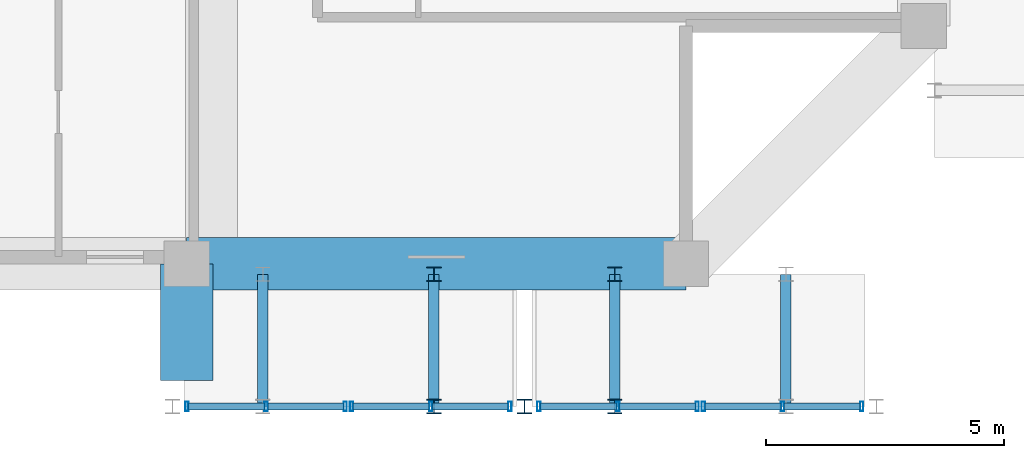
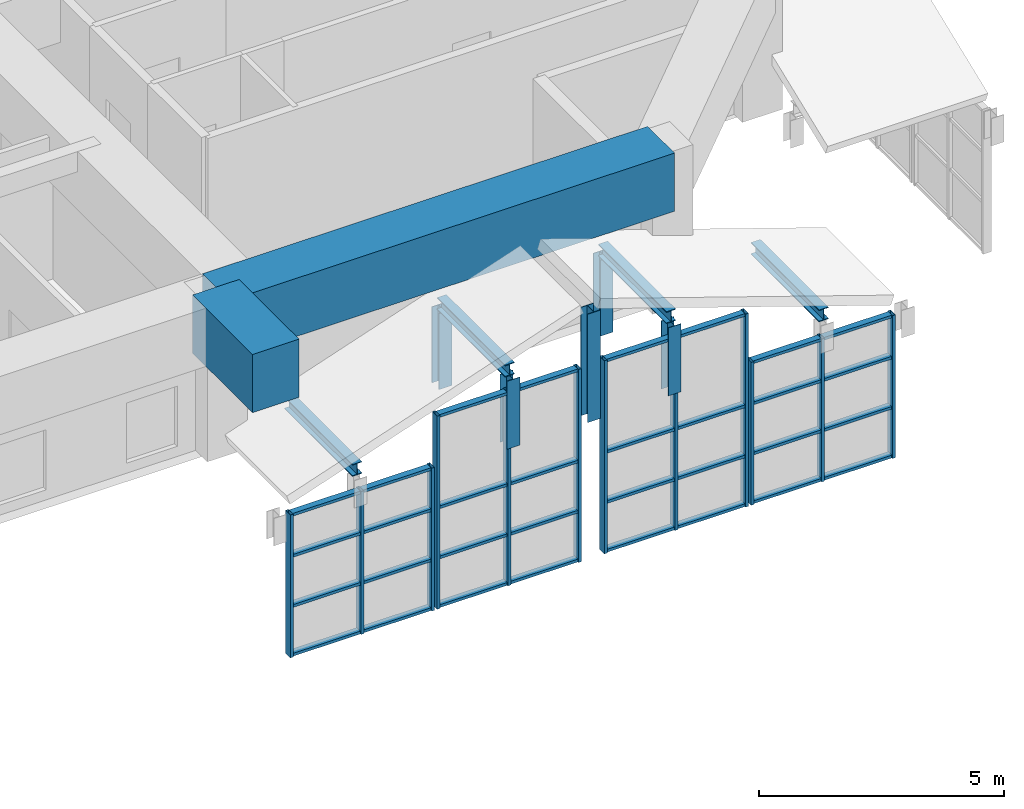
# One storey, part 12 of 45: 53 members, 2 beams, 4 elements without a shape of their own.
"""IFC4 building model written with IfcOpenShell, lengths in metres."""

from ifc_helpers import new_model, si_unit, direction, frame, origin, origin_2d, place, context, subcontext, project, spatial, rectangle, hollow_rectangle, i_section, extrude, source, transform, mapped, material, layer, layer_set, material_profile, profile_set, type_object, element, aggregate, save


model = new_model("IFC4")

# Units and contexts
model_context = context("Model", 3, precision=1e-05, world=origin(), true_north=direction((0.0, 1.0)))
body_context = subcontext(model_context, "Body", "Model", "MODEL_VIEW")
ifc_project = project(units=[si_unit("LENGTHUNIT", "METRE"), si_unit("AREAUNIT", "SQUARE_METRE"), si_unit("VOLUMEUNIT", "CUBIC_METRE"), si_unit("PLANEANGLEUNIT", "RADIAN"), si_unit("MASSUNIT", "GRAM", prefix="KILO")], contexts=[model_context])

# Site, building, storey
site_placement = place(None, origin())
site = spatial("IfcSite", under=ifc_project, at=site_placement, CompositionType="ELEMENT")
building_placement = place(site_placement, origin())
building = spatial("IfcBuilding", under=site, at=building_placement, Name="Saelheon Loggia Tower", CompositionType="ELEMENT")
storey_placement = place(building_placement, frame((0.0, 0.0, 152.199951171875)))
storey = spatial("IfcBuildingStorey", under=building, at=storey_placement, Name="L48", CompositionType="ELEMENT", Elevation=152.199951171875)

# Members
ifc_material_1 = material(Name="Steel SM355", Category="steel")
ifc_material_profile_1 = material_profile(ifc_material_1, i_section(OverallWidth=0.300048828125, OverallDepth=0.300048828125, WebThickness=0.010009765625, FlangeThickness=0.014892578125, at=origin_2d()), Name="H-300x300x10x15")
ifc_profile_set_1 = profile_set([ifc_material_profile_1], Name="Steel SM355")
member_type_1 = type_object("IfcMemberType", Name="WaveCrest_Post_H300", PredefinedType="POST", material=ifc_profile_set_1)
shared_shape_1 = source(origin(), body_context, "Body", "SweptSolid", [
    extrude(i_section(OverallWidth=0.300048828125, OverallDepth=0.300048828125, WebThickness=0.010009765625, FlangeThickness=0.014892578125, at=origin_2d()), origin(), (0.0, 0.0, 1.0), 2.699951171875),
])
member_1_placement = place(storey_placement, frame((51.60009765625, 3.0, 0.0), z_axis=(0.0, 0.0, 1.0), x_axis=(1.0, 0.0, 0.0)))
element("IfcMember", 1, at=member_1_placement, inside=storey, type_object=member_type_1, Name="Tier 1 Wave Crest Upper Post SE 01", PredefinedType="POST", context=body_context, shape_type="MappedRepresentation", body=[
    mapped(shared_shape_1, transform((0.0, 0.0, 0.0), scale=1.0)),
])
ifc_material_profile_2 = material_profile(ifc_material_1, i_section(OverallWidth=0.219970703125, OverallDepth=0.300048828125, WebThickness=0.011962890625, FlangeThickness=0.02001953125, at=origin_2d()), Name="H-300x220x12x20")
ifc_profile_set_2 = profile_set([ifc_material_profile_2], Name="Steel SM355")
member_type_2 = type_object("IfcMemberType", Name="Roof_ShoulderPurlin_RHS300", PredefinedType="PURLIN", material=ifc_profile_set_2)
shared_shape_2 = source(origin(), body_context, "Body", "SweptSolid", [
    extrude(i_section(OverallWidth=0.219970703125, OverallDepth=0.300048828125, WebThickness=0.011962890625, FlangeThickness=0.02001953125, at=origin_2d()), origin(), (0.0, 0.0, 1.0), 2.780029296875),
])
for number, where, z_axis, x_axis, name in (
    (2, (46.100830078125, 3.0, 0.628173828125), (0.0, 1.0, 0.0), (-1.0, 0.0, 0.0), "Tier 1 Wave Crest Rafter SE 01 A"),
    (3, (49.69921875, 3.0, 1.84375), (0.0, 1.0, 0.0), (-1.0, 0.0, 0.0), "Tier 1 Wave Crest Rafter SE 01 B"),
    (4, (53.500732421875, 3.0, 1.84375), (0.0, 1.0, 0.0), (-1.0, 0.0, 0.0), "Tier 1 Wave Crest Rafter SE 02 A"),
    (5, (57.09912109375, 3.0, 0.628173828125), (0.0, 1.0, 0.0), (-1.0, 0.0, 0.0), "Tier 1 Wave Crest Rafter SE 02 B"),
):
    element("IfcMember", number, at=place(storey_placement, frame(where, z_axis=z_axis, x_axis=x_axis)), inside=storey, type_object=member_type_2, Name=name, PredefinedType="PURLIN", context=body_context, shape_type="MappedRepresentation", body=[
        mapped(shared_shape_2, transform((0.0, 0.0, 0.0), scale=1.0)),
    ])
shared_shape_3 = source(origin(), body_context, "Body", "SweptSolid", [
    extrude(i_section(OverallWidth=0.300048828125, OverallDepth=0.300048828125, WebThickness=0.010009765625, FlangeThickness=0.014892578125, at=origin_2d()), origin(), (0.0, 0.0, 1.0), 1.69384765625),
])
for number, where, z_axis, x_axis, name in (
    (6, (49.69921875, 3.0, 0.0), (0.0, 0.0, 1.0), (1.0, 0.0, 0.0), "Tier 1 Rafter Outer Upper Post SE 01"),
    (7, (53.500732421875, 3.0, 0.0), (0.0, 0.0, 1.0), (1.0, 0.0, 0.0), "Tier 1 Rafter Outer Upper Post SE 02"),
):
    element("IfcMember", number, at=place(storey_placement, frame(where, z_axis=z_axis, x_axis=x_axis)), inside=storey, type_object=member_type_1, Name=name, PredefinedType="POST", context=body_context, shape_type="MappedRepresentation", body=[
        mapped(shared_shape_3, transform((0.0, 0.0, 0.0), scale=1.0)),
    ])
ifc_material_profile_3 = material_profile(ifc_material_1, i_section(OverallWidth=0.300048828125, OverallDepth=0.300048828125, WebThickness=0.010009765625, FlangeThickness=0.014892578125, at=origin_2d()), Name="H-300x300x10x15")
ifc_profile_set_3 = profile_set([ifc_material_profile_3], Name="Steel SM355")
member_type_3 = type_object("IfcMemberType", Name="Belt_Post_H300", PredefinedType="POST", material=ifc_profile_set_3)
shared_shape_4 = source(origin(), body_context, "Body", "SweptSolid", [
    extrude(i_section(OverallWidth=0.300048828125, OverallDepth=0.300048828125, WebThickness=0.010009765625, FlangeThickness=0.014892578125, at=origin_2d()), origin(), (0.0, 0.0, 1.0), 1.893798828125),
])
for number, where, z_axis, x_axis, name in (
    (8, (49.69921875, 5.780029296875, -0.199951171875), (0.0, 0.0, 1.0), (1.0, 0.0, 0.0), "Tier 1 Rafter Inner Post SE 01"),
    (9, (53.500732421875, 5.780029296875, -0.199951171875), (0.0, 0.0, 1.0), (1.0, 0.0, 0.0), "Tier 1 Rafter Inner Post SE 02"),
):
    element("IfcMember", number, at=place(storey_placement, frame(where, z_axis=z_axis, x_axis=x_axis)), inside=storey, type_object=member_type_3, Name=name, PredefinedType="POST", context=body_context, shape_type="MappedRepresentation", body=[
        mapped(shared_shape_4, transform((0.0, 0.0, 0.0), scale=1.0)),
    ])

# Beams
ifc_material_2 = material(Name="Concrete C50/60", Category="concrete")
ifc_material_profile_4 = material_profile(ifc_material_2, rectangle(XDim=1.10009765625, YDim=1.449951171875, at=origin_2d()), Name="RC-1100x1450")
ifc_profile_set_4 = profile_set([ifc_material_profile_4], Name="Concrete C50/60")
beam_type = type_object("IfcBeamType", Name="Beam_PerimTransfer_RC1100x1450", PredefinedType="BEAM", material=ifc_profile_set_4)
shared_shape_5 = source(origin(), body_context, "Body", "SweptSolid", [
    extrude(rectangle(XDim=1.10009765625, YDim=1.449951171875, at=origin_2d()), origin(), (0.0, 0.0, 1.0), 2.449951171875),
])
beam_1_placement = place(storey_placement, frame((44.5, 6.0, 3.175048828125), z_axis=(0.0, -1.0, 0.0), x_axis=(1.0, 0.0, 0.0)))
element("IfcBeam", 10, at=beam_1_placement, inside=storey, type_object=beam_type, Name="L48 Loggia Transfer Tie Beam LP-S2", PredefinedType="BEAM", context=body_context, shape_type="MappedRepresentation", body=[
    mapped(shared_shape_5, transform((0.0, 0.0, 0.0), scale=1.0)),
])
shared_shape_6 = source(origin(), body_context, "Body", "SweptSolid", [
    extrude(rectangle(XDim=1.10009765625, YDim=1.449951171875, at=origin_2d()), origin(), (0.0, 0.0, 1.0), 10.5),
])
beam_2_placement = place(storey_placement, frame((44.5, 6.0, 3.175048828125), z_axis=(1.0, 0.0, 0.0), x_axis=(0.0, 1.0, 0.0)))
element("IfcBeam", 11, at=beam_2_placement, inside=storey, type_object=beam_type, Name="L48 Perimeter Frame Girder 03", PredefinedType="BEAM", context=body_context, shape_type="MappedRepresentation", body=[
    mapped(shared_shape_6, transform((0.0, 0.0, 0.0), scale=1.0)),
])

# Curtain wall, members
ifc_material_3 = material(Name="Bronze-Anodised Aluminium and Fritted Ceramic Screen", Category="aluminium")
ifc_layer = layer(ifc_material_3, 0.219970703125)
ifc_layer_set = layer_set([ifc_layer], Name="Bronze-Anodised Aluminium and Fritted Ceramic Screen")
curtain_wall_type = type_object("IfcCurtainWallType", Name="CW_CrownScreen", PredefinedType="NOTDEFINED", material=ifc_layer_set)
curtain_wall_1_placement = place(storey_placement, origin())
curtain_wall_1 = element("IfcCurtainWall", 12, at=curtain_wall_1_placement, inside=storey, type_object=curtain_wall_type, Name="Tier 1 Wave Crest Glazing SE 01-1", PredefinedType="NOTDEFINED")
ifc_material_4 = material(Name="Bronze-Anodised Aluminium 6063-T6", Category="aluminium")
ifc_material_profile_5 = material_profile(ifc_material_4, hollow_rectangle(XDim=0.070068359375, YDim=0.199951171875, WallThickness=0.0048828125, at=origin_2d()), Name="RHS-200x70x5")
ifc_profile_set_5 = profile_set([ifc_material_profile_5], Name="Bronze-Anodised Aluminium 6063-T6")
member_type_4 = type_object("IfcMemberType", Name="CW_CrownScreen_Mullion", PredefinedType="MULLION", material=ifc_profile_set_5)
shared_shape_7 = source(origin(), body_context, "Body", "SweptSolid", [
    extrude(hollow_rectangle(XDim=0.070068359375, YDim=0.199951171875, WallThickness=0.0048828125, at=origin_2d()), origin(), (0.0, 0.0, 1.0), 3.56005859375),
])
member_2_placement = place(storey_placement, frame((44.5048828125, 3.0, -3.449951171875), z_axis=(0.0, 0.0, 1.0), x_axis=(1.0, 0.0, 0.0)))
member_2 = element("IfcMember", 13, at=member_2_placement, type_object=member_type_4, Name="CW6 mullion 1", PredefinedType="MULLION", context=body_context, shape_type="MappedRepresentation", body=[
    mapped(shared_shape_7, transform((0.0, 0.0, 0.0), scale=1.0)),
])
member_3_placement = place(storey_placement, frame((46.169921875, 3.0, -3.449951171875), z_axis=(0.0, 0.0, 1.0), x_axis=(1.0, 0.0, 0.0)))
member_3 = element("IfcMember", 14, at=member_3_placement, type_object=member_type_4, Name="CW6 mullion 2", PredefinedType="MULLION", context=body_context, shape_type="MappedRepresentation", body=[
    mapped(shared_shape_7, transform((0.0, 0.0, 0.0), scale=1.0)),
])
member_4_placement = place(storey_placement, frame((47.8349609375, 3.0, -3.449951171875), z_axis=(0.0, 0.0, 1.0), x_axis=(1.0, 0.0, 0.0)))
member_4 = element("IfcMember", 15, at=member_4_placement, type_object=member_type_4, Name="CW6 mullion 3", PredefinedType="MULLION", context=body_context, shape_type="MappedRepresentation", body=[
    mapped(shared_shape_7, transform((0.0, 0.0, 0.0), scale=1.0)),
])

curtain_wall_2_placement = place(storey_placement, origin())
curtain_wall_2 = element("IfcCurtainWall", 16, at=curtain_wall_2_placement, inside=storey, type_object=curtain_wall_type, Name="Tier 1 Wave Crest Glazing SE 02-2", PredefinedType="NOTDEFINED")
member_5_placement = place(storey_placement, frame((55.364990234375, 3.0, -3.449951171875), z_axis=(0.0, 0.0, 1.0), x_axis=(1.0, 0.0, 0.0)))
member_5 = element("IfcMember", 17, at=member_5_placement, type_object=member_type_4, Name="CW6 mullion 1", PredefinedType="MULLION", context=body_context, shape_type="MappedRepresentation", body=[
    mapped(shared_shape_7, transform((0.0, 0.0, 0.0), scale=1.0)),
])
member_6_placement = place(storey_placement, frame((57.030029296875, 3.0, -3.449951171875), z_axis=(0.0, 0.0, 1.0), x_axis=(1.0, 0.0, 0.0)))
member_6 = element("IfcMember", 18, at=member_6_placement, type_object=member_type_4, Name="CW6 mullion 2", PredefinedType="MULLION", context=body_context, shape_type="MappedRepresentation", body=[
    mapped(shared_shape_7, transform((0.0, 0.0, 0.0), scale=1.0)),
])
member_7_placement = place(storey_placement, frame((58.695068359375, 3.0, -3.449951171875), z_axis=(0.0, 0.0, 1.0), x_axis=(1.0, 0.0, 0.0)))
member_7 = element("IfcMember", 19, at=member_7_placement, type_object=member_type_4, Name="CW6 mullion 3", PredefinedType="MULLION", context=body_context, shape_type="MappedRepresentation", body=[
    mapped(shared_shape_7, transform((0.0, 0.0, 0.0), scale=1.0)),
])

curtain_wall_3_placement = place(storey_placement, origin())
curtain_wall_3 = element("IfcCurtainWall", 20, at=curtain_wall_3_placement, inside=storey, type_object=curtain_wall_type, Name="Tier 1 Wave Crest Glazing SE 01-2", PredefinedType="NOTDEFINED")
shared_shape_8 = source(origin(), body_context, "Body", "SweptSolid", [
    extrude(hollow_rectangle(XDim=0.070068359375, YDim=0.199951171875, WallThickness=0.0048828125, at=origin_2d()), origin(), (0.0, 0.0, 1.0), 4.81005859375),
])
member_8_placement = place(storey_placement, frame((47.965087890625, 3.0, -3.449951171875), z_axis=(0.0, 0.0, 1.0), x_axis=(1.0, 0.0, 0.0)))
member_8 = element("IfcMember", 21, at=member_8_placement, type_object=member_type_4, Name="CW6 mullion 1", PredefinedType="MULLION", context=body_context, shape_type="MappedRepresentation", body=[
    mapped(shared_shape_8, transform((0.0, 0.0, 0.0), scale=1.0)),
])
member_9_placement = place(storey_placement, frame((49.6298828125, 3.0, -3.449951171875), z_axis=(0.0, 0.0, 1.0), x_axis=(1.0, 0.0, 0.0)))
member_9 = element("IfcMember", 22, at=member_9_placement, type_object=member_type_4, Name="CW6 mullion 2", PredefinedType="MULLION", context=body_context, shape_type="MappedRepresentation", body=[
    mapped(shared_shape_8, transform((0.0, 0.0, 0.0), scale=1.0)),
])
member_10_placement = place(storey_placement, frame((51.294921875, 3.0, -3.449951171875), z_axis=(0.0, 0.0, 1.0), x_axis=(1.0, 0.0, 0.0)))
member_10 = element("IfcMember", 23, at=member_10_placement, type_object=member_type_4, Name="CW6 mullion 3", PredefinedType="MULLION", context=body_context, shape_type="MappedRepresentation", body=[
    mapped(shared_shape_8, transform((0.0, 0.0, 0.0), scale=1.0)),
])

curtain_wall_4_placement = place(storey_placement, origin())
curtain_wall_4 = element("IfcCurtainWall", 24, at=curtain_wall_4_placement, inside=storey, type_object=curtain_wall_type, Name="Tier 1 Wave Crest Glazing SE 02-1", PredefinedType="NOTDEFINED")
member_11_placement = place(storey_placement, frame((51.905029296875, 3.0, -3.449951171875), z_axis=(0.0, 0.0, 1.0), x_axis=(1.0, 0.0, 0.0)))
member_11 = element("IfcMember", 25, at=member_11_placement, type_object=member_type_4, Name="CW6 mullion 1", PredefinedType="MULLION", context=body_context, shape_type="MappedRepresentation", body=[
    mapped(shared_shape_8, transform((0.0, 0.0, 0.0), scale=1.0)),
])
member_12_placement = place(storey_placement, frame((53.570068359375, 3.0, -3.449951171875), z_axis=(0.0, 0.0, 1.0), x_axis=(1.0, 0.0, 0.0)))
member_12 = element("IfcMember", 26, at=member_12_placement, type_object=member_type_4, Name="CW6 mullion 2", PredefinedType="MULLION", context=body_context, shape_type="MappedRepresentation", body=[
    mapped(shared_shape_8, transform((0.0, 0.0, 0.0), scale=1.0)),
])
member_13_placement = place(storey_placement, frame((55.235107421875, 3.0, -3.449951171875), z_axis=(0.0, 0.0, 1.0), x_axis=(1.0, 0.0, 0.0)))
member_13 = element("IfcMember", 27, at=member_13_placement, type_object=member_type_4, Name="CW6 mullion 3", PredefinedType="MULLION", context=body_context, shape_type="MappedRepresentation", body=[
    mapped(shared_shape_8, transform((0.0, 0.0, 0.0), scale=1.0)),
])

# Member
ifc_material_profile_6 = material_profile(ifc_material_4, hollow_rectangle(XDim=0.070068359375, YDim=0.14990234375, WallThickness=0.0048828125, at=origin_2d()), Name="RHS-150x70x5")
ifc_profile_set_6 = profile_set([ifc_material_profile_6], Name="Bronze-Anodised Aluminium 6063-T6")
member_type_5 = type_object("IfcMemberType", Name="CW_CrownScreen_Transom", PredefinedType="USERDEFINED", material=ifc_profile_set_6)
shared_shape_9 = source(origin(), body_context, "Body", "SweptSolid", [
    extrude(hollow_rectangle(XDim=0.070068359375, YDim=0.14990234375, WallThickness=0.0048828125, at=origin_2d()), origin(), (0.0, 0.0, 1.0), 1.594970703125),
])
member_14_placement = place(storey_placement, frame((44.5400390625, 3.0, -3.4150390625), z_axis=(1.0, 0.0, 0.0), x_axis=(0.0, 0.0, 1.0)))
member_14 = element("IfcMember", 28, at=member_14_placement, type_object=member_type_5, Name="CW6 transom 1.1", ObjectType="TRANSOM", PredefinedType="USERDEFINED", context=body_context, shape_type="MappedRepresentation", body=[
    mapped(shared_shape_9, transform((0.0, 0.0, 0.0), scale=1.0)),
])

member_15_placement = place(storey_placement, frame((44.5400390625, 3.0, -2.199951171875), z_axis=(1.0, 0.0, 0.0), x_axis=(0.0, 0.0, 1.0)))
member_15 = element("IfcMember", 29, at=member_15_placement, type_object=member_type_5, Name="CW6 transom 1.2", ObjectType="TRANSOM", PredefinedType="USERDEFINED", context=body_context, shape_type="MappedRepresentation", body=[
    mapped(shared_shape_9, transform((0.0, 0.0, 0.0), scale=1.0)),
])

member_16_placement = place(storey_placement, frame((44.5400390625, 3.0, -0.949951171875), z_axis=(1.0, 0.0, 0.0), x_axis=(0.0, 0.0, 1.0)))
member_16 = element("IfcMember", 30, at=member_16_placement, type_object=member_type_5, Name="CW6 transom 1.3", ObjectType="TRANSOM", PredefinedType="USERDEFINED", context=body_context, shape_type="MappedRepresentation", body=[
    mapped(shared_shape_9, transform((0.0, 0.0, 0.0), scale=1.0)),
])

member_17_placement = place(storey_placement, frame((44.5400390625, 3.0, 0.074951171875), z_axis=(1.0, 0.0, 0.0), x_axis=(0.0, 0.0, 1.0)))
member_17 = element("IfcMember", 31, at=member_17_placement, type_object=member_type_5, Name="CW6 transom 1.4", ObjectType="TRANSOM", PredefinedType="USERDEFINED", context=body_context, shape_type="MappedRepresentation", body=[
    mapped(shared_shape_9, transform((0.0, 0.0, 0.0), scale=1.0)),
])

member_18_placement = place(storey_placement, frame((46.205078125, 3.0, -3.4150390625), z_axis=(1.0, 0.0, 0.0), x_axis=(0.0, 0.0, 1.0)))
member_18 = element("IfcMember", 32, at=member_18_placement, type_object=member_type_5, Name="CW6 transom 2.1", ObjectType="TRANSOM", PredefinedType="USERDEFINED", context=body_context, shape_type="MappedRepresentation", body=[
    mapped(shared_shape_9, transform((0.0, 0.0, 0.0), scale=1.0)),
])

member_19_placement = place(storey_placement, frame((46.205078125, 3.0, -2.199951171875), z_axis=(1.0, 0.0, 0.0), x_axis=(0.0, 0.0, 1.0)))
member_19 = element("IfcMember", 33, at=member_19_placement, type_object=member_type_5, Name="CW6 transom 2.2", ObjectType="TRANSOM", PredefinedType="USERDEFINED", context=body_context, shape_type="MappedRepresentation", body=[
    mapped(shared_shape_9, transform((0.0, 0.0, 0.0), scale=1.0)),
])

member_20_placement = place(storey_placement, frame((46.205078125, 3.0, -0.949951171875), z_axis=(1.0, 0.0, 0.0), x_axis=(0.0, 0.0, 1.0)))
member_20 = element("IfcMember", 34, at=member_20_placement, type_object=member_type_5, Name="CW6 transom 2.3", ObjectType="TRANSOM", PredefinedType="USERDEFINED", context=body_context, shape_type="MappedRepresentation", body=[
    mapped(shared_shape_9, transform((0.0, 0.0, 0.0), scale=1.0)),
])

member_21_placement = place(storey_placement, frame((46.205078125, 3.0, 0.074951171875), z_axis=(1.0, 0.0, 0.0), x_axis=(0.0, 0.0, 1.0)))
member_21 = element("IfcMember", 35, at=member_21_placement, type_object=member_type_5, Name="CW6 transom 2.4", ObjectType="TRANSOM", PredefinedType="USERDEFINED", context=body_context, shape_type="MappedRepresentation", body=[
    mapped(shared_shape_9, transform((0.0, 0.0, 0.0), scale=1.0)),
])

aggregate(curtain_wall_1, [member_2, member_3, member_4, member_14, member_15, member_16, member_17, member_18, member_19, member_20, member_21])

member_22_placement = place(storey_placement, frame((48.0, 3.0, -3.4150390625), z_axis=(1.0, 0.0, 0.0), x_axis=(0.0, 0.0, 1.0)))
member_22 = element("IfcMember", 36, at=member_22_placement, type_object=member_type_5, Name="CW6 transom 1.1", ObjectType="TRANSOM", PredefinedType="USERDEFINED", context=body_context, shape_type="MappedRepresentation", body=[
    mapped(shared_shape_9, transform((0.0, 0.0, 0.0), scale=1.0)),
])

member_23_placement = place(storey_placement, frame((48.0, 3.0, -2.199951171875), z_axis=(1.0, 0.0, 0.0), x_axis=(0.0, 0.0, 1.0)))
member_23 = element("IfcMember", 37, at=member_23_placement, type_object=member_type_5, Name="CW6 transom 1.2", ObjectType="TRANSOM", PredefinedType="USERDEFINED", context=body_context, shape_type="MappedRepresentation", body=[
    mapped(shared_shape_9, transform((0.0, 0.0, 0.0), scale=1.0)),
])

member_24_placement = place(storey_placement, frame((48.0, 3.0, -0.949951171875), z_axis=(1.0, 0.0, 0.0), x_axis=(0.0, 0.0, 1.0)))
member_24 = element("IfcMember", 38, at=member_24_placement, type_object=member_type_5, Name="CW6 transom 1.3", ObjectType="TRANSOM", PredefinedType="USERDEFINED", context=body_context, shape_type="MappedRepresentation", body=[
    mapped(shared_shape_9, transform((0.0, 0.0, 0.0), scale=1.0)),
])

member_25_placement = place(storey_placement, frame((48.0, 3.0, 1.324951171875), z_axis=(1.0, 0.0, 0.0), x_axis=(0.0, 0.0, 1.0)))
member_25 = element("IfcMember", 39, at=member_25_placement, type_object=member_type_5, Name="CW6 transom 1.4", ObjectType="TRANSOM", PredefinedType="USERDEFINED", context=body_context, shape_type="MappedRepresentation", body=[
    mapped(shared_shape_9, transform((0.0, 0.0, 0.0), scale=1.0)),
])

member_26_placement = place(storey_placement, frame((49.6650390625, 3.0, -3.4150390625), z_axis=(1.0, 0.0, 0.0), x_axis=(0.0, 0.0, 1.0)))
member_26 = element("IfcMember", 40, at=member_26_placement, type_object=member_type_5, Name="CW6 transom 2.1", ObjectType="TRANSOM", PredefinedType="USERDEFINED", context=body_context, shape_type="MappedRepresentation", body=[
    mapped(shared_shape_9, transform((0.0, 0.0, 0.0), scale=1.0)),
])

member_27_placement = place(storey_placement, frame((49.6650390625, 3.0, -2.199951171875), z_axis=(1.0, 0.0, 0.0), x_axis=(0.0, 0.0, 1.0)))
member_27 = element("IfcMember", 41, at=member_27_placement, type_object=member_type_5, Name="CW6 transom 2.2", ObjectType="TRANSOM", PredefinedType="USERDEFINED", context=body_context, shape_type="MappedRepresentation", body=[
    mapped(shared_shape_9, transform((0.0, 0.0, 0.0), scale=1.0)),
])

member_28_placement = place(storey_placement, frame((49.6650390625, 3.0, -0.949951171875), z_axis=(1.0, 0.0, 0.0), x_axis=(0.0, 0.0, 1.0)))
member_28 = element("IfcMember", 42, at=member_28_placement, type_object=member_type_5, Name="CW6 transom 2.3", ObjectType="TRANSOM", PredefinedType="USERDEFINED", context=body_context, shape_type="MappedRepresentation", body=[
    mapped(shared_shape_9, transform((0.0, 0.0, 0.0), scale=1.0)),
])

member_29_placement = place(storey_placement, frame((49.6650390625, 3.0, 1.324951171875), z_axis=(1.0, 0.0, 0.0), x_axis=(0.0, 0.0, 1.0)))
member_29 = element("IfcMember", 43, at=member_29_placement, type_object=member_type_5, Name="CW6 transom 2.4", ObjectType="TRANSOM", PredefinedType="USERDEFINED", context=body_context, shape_type="MappedRepresentation", body=[
    mapped(shared_shape_9, transform((0.0, 0.0, 0.0), scale=1.0)),
])

aggregate(curtain_wall_3, [member_8, member_9, member_10, member_22, member_23, member_24, member_25, member_26, member_27, member_28, member_29])

member_30_placement = place(storey_placement, frame((51.93994140625, 3.0, -3.4150390625), z_axis=(1.0, 0.0, 0.0), x_axis=(0.0, 0.0, 1.0)))
member_30 = element("IfcMember", 44, at=member_30_placement, type_object=member_type_5, Name="CW6 transom 1.1", ObjectType="TRANSOM", PredefinedType="USERDEFINED", context=body_context, shape_type="MappedRepresentation", body=[
    mapped(shared_shape_9, transform((0.0, 0.0, 0.0), scale=1.0)),
])

member_31_placement = place(storey_placement, frame((51.93994140625, 3.0, -2.199951171875), z_axis=(1.0, 0.0, 0.0), x_axis=(0.0, 0.0, 1.0)))
member_31 = element("IfcMember", 45, at=member_31_placement, type_object=member_type_5, Name="CW6 transom 1.2", ObjectType="TRANSOM", PredefinedType="USERDEFINED", context=body_context, shape_type="MappedRepresentation", body=[
    mapped(shared_shape_9, transform((0.0, 0.0, 0.0), scale=1.0)),
])

member_32_placement = place(storey_placement, frame((51.93994140625, 3.0, -0.949951171875), z_axis=(1.0, 0.0, 0.0), x_axis=(0.0, 0.0, 1.0)))
member_32 = element("IfcMember", 46, at=member_32_placement, type_object=member_type_5, Name="CW6 transom 1.3", ObjectType="TRANSOM", PredefinedType="USERDEFINED", context=body_context, shape_type="MappedRepresentation", body=[
    mapped(shared_shape_9, transform((0.0, 0.0, 0.0), scale=1.0)),
])

member_33_placement = place(storey_placement, frame((51.93994140625, 3.0, 1.324951171875), z_axis=(1.0, 0.0, 0.0), x_axis=(0.0, 0.0, 1.0)))
member_33 = element("IfcMember", 47, at=member_33_placement, type_object=member_type_5, Name="CW6 transom 1.4", ObjectType="TRANSOM", PredefinedType="USERDEFINED", context=body_context, shape_type="MappedRepresentation", body=[
    mapped(shared_shape_9, transform((0.0, 0.0, 0.0), scale=1.0)),
])

member_34_placement = place(storey_placement, frame((53.60498046875, 3.0, -3.4150390625), z_axis=(1.0, 0.0, 0.0), x_axis=(0.0, 0.0, 1.0)))
member_34 = element("IfcMember", 48, at=member_34_placement, type_object=member_type_5, Name="CW6 transom 2.1", ObjectType="TRANSOM", PredefinedType="USERDEFINED", context=body_context, shape_type="MappedRepresentation", body=[
    mapped(shared_shape_9, transform((0.0, 0.0, 0.0), scale=1.0)),
])

member_35_placement = place(storey_placement, frame((53.60498046875, 3.0, -2.199951171875), z_axis=(1.0, 0.0, 0.0), x_axis=(0.0, 0.0, 1.0)))
member_35 = element("IfcMember", 49, at=member_35_placement, type_object=member_type_5, Name="CW6 transom 2.2", ObjectType="TRANSOM", PredefinedType="USERDEFINED", context=body_context, shape_type="MappedRepresentation", body=[
    mapped(shared_shape_9, transform((0.0, 0.0, 0.0), scale=1.0)),
])

member_36_placement = place(storey_placement, frame((53.60498046875, 3.0, -0.949951171875), z_axis=(1.0, 0.0, 0.0), x_axis=(0.0, 0.0, 1.0)))
member_36 = element("IfcMember", 50, at=member_36_placement, type_object=member_type_5, Name="CW6 transom 2.3", ObjectType="TRANSOM", PredefinedType="USERDEFINED", context=body_context, shape_type="MappedRepresentation", body=[
    mapped(shared_shape_9, transform((0.0, 0.0, 0.0), scale=1.0)),
])

member_37_placement = place(storey_placement, frame((53.60498046875, 3.0, 1.324951171875), z_axis=(1.0, 0.0, 0.0), x_axis=(0.0, 0.0, 1.0)))
member_37 = element("IfcMember", 51, at=member_37_placement, type_object=member_type_5, Name="CW6 transom 2.4", ObjectType="TRANSOM", PredefinedType="USERDEFINED", context=body_context, shape_type="MappedRepresentation", body=[
    mapped(shared_shape_9, transform((0.0, 0.0, 0.0), scale=1.0)),
])

aggregate(curtain_wall_4, [member_11, member_12, member_13, member_30, member_31, member_32, member_33, member_34, member_35, member_36, member_37])

member_38_placement = place(storey_placement, frame((57.06494140625, 3.0, -3.4150390625), z_axis=(1.0, 0.0, 0.0), x_axis=(0.0, 0.0, 1.0)))
member_38 = element("IfcMember", 52, at=member_38_placement, type_object=member_type_5, Name="CW6 transom 2.1", ObjectType="TRANSOM", PredefinedType="USERDEFINED", context=body_context, shape_type="MappedRepresentation", body=[
    mapped(shared_shape_9, transform((0.0, 0.0, 0.0), scale=1.0)),
])

member_39_placement = place(storey_placement, frame((57.06494140625, 3.0, -2.199951171875), z_axis=(1.0, 0.0, 0.0), x_axis=(0.0, 0.0, 1.0)))
member_39 = element("IfcMember", 53, at=member_39_placement, type_object=member_type_5, Name="CW6 transom 2.2", ObjectType="TRANSOM", PredefinedType="USERDEFINED", context=body_context, shape_type="MappedRepresentation", body=[
    mapped(shared_shape_9, transform((0.0, 0.0, 0.0), scale=1.0)),
])

member_40_placement = place(storey_placement, frame((57.06494140625, 3.0, -0.949951171875), z_axis=(1.0, 0.0, 0.0), x_axis=(0.0, 0.0, 1.0)))
member_40 = element("IfcMember", 54, at=member_40_placement, type_object=member_type_5, Name="CW6 transom 2.3", ObjectType="TRANSOM", PredefinedType="USERDEFINED", context=body_context, shape_type="MappedRepresentation", body=[
    mapped(shared_shape_9, transform((0.0, 0.0, 0.0), scale=1.0)),
])

member_41_placement = place(storey_placement, frame((57.06494140625, 3.0, 0.074951171875), z_axis=(1.0, 0.0, 0.0), x_axis=(0.0, 0.0, 1.0)))
member_41 = element("IfcMember", 55, at=member_41_placement, type_object=member_type_5, Name="CW6 transom 2.4", ObjectType="TRANSOM", PredefinedType="USERDEFINED", context=body_context, shape_type="MappedRepresentation", body=[
    mapped(shared_shape_9, transform((0.0, 0.0, 0.0), scale=1.0)),
])

shared_shape_10 = source(origin(), body_context, "Body", "SweptSolid", [
    extrude(hollow_rectangle(XDim=0.070068359375, YDim=0.14990234375, WallThickness=0.0048828125, at=origin_2d()), origin(), (0.0, 0.0, 1.0), 1.59521484375),
])
member_42_placement = place(storey_placement, frame((55.39990234375, 3.0, -3.4150390625), z_axis=(1.0, 0.0, 0.0), x_axis=(0.0, 0.0, 1.0)))
member_42 = element("IfcMember", 56, at=member_42_placement, type_object=member_type_5, Name="CW6 transom 1.1", ObjectType="TRANSOM", PredefinedType="USERDEFINED", context=body_context, shape_type="MappedRepresentation", body=[
    mapped(shared_shape_10, transform((0.0, 0.0, 0.0), scale=1.0)),
])

member_43_placement = place(storey_placement, frame((55.39990234375, 3.0, -2.199951171875), z_axis=(1.0, 0.0, 0.0), x_axis=(0.0, 0.0, 1.0)))
member_43 = element("IfcMember", 57, at=member_43_placement, type_object=member_type_5, Name="CW6 transom 1.2", ObjectType="TRANSOM", PredefinedType="USERDEFINED", context=body_context, shape_type="MappedRepresentation", body=[
    mapped(shared_shape_10, transform((0.0, 0.0, 0.0), scale=1.0)),
])

member_44_placement = place(storey_placement, frame((55.39990234375, 3.0, -0.949951171875), z_axis=(1.0, 0.0, 0.0), x_axis=(0.0, 0.0, 1.0)))
member_44 = element("IfcMember", 58, at=member_44_placement, type_object=member_type_5, Name="CW6 transom 1.3", ObjectType="TRANSOM", PredefinedType="USERDEFINED", context=body_context, shape_type="MappedRepresentation", body=[
    mapped(shared_shape_10, transform((0.0, 0.0, 0.0), scale=1.0)),
])

member_45_placement = place(storey_placement, frame((55.39990234375, 3.0, 0.074951171875), z_axis=(1.0, 0.0, 0.0), x_axis=(0.0, 0.0, 1.0)))
member_45 = element("IfcMember", 59, at=member_45_placement, type_object=member_type_5, Name="CW6 transom 1.4", ObjectType="TRANSOM", PredefinedType="USERDEFINED", context=body_context, shape_type="MappedRepresentation", body=[
    mapped(shared_shape_10, transform((0.0, 0.0, 0.0), scale=1.0)),
])

aggregate(curtain_wall_2, [member_5, member_6, member_7, member_42, member_43, member_44, member_45, member_38, member_39, member_40, member_41])

save(model, "model.ifc")
